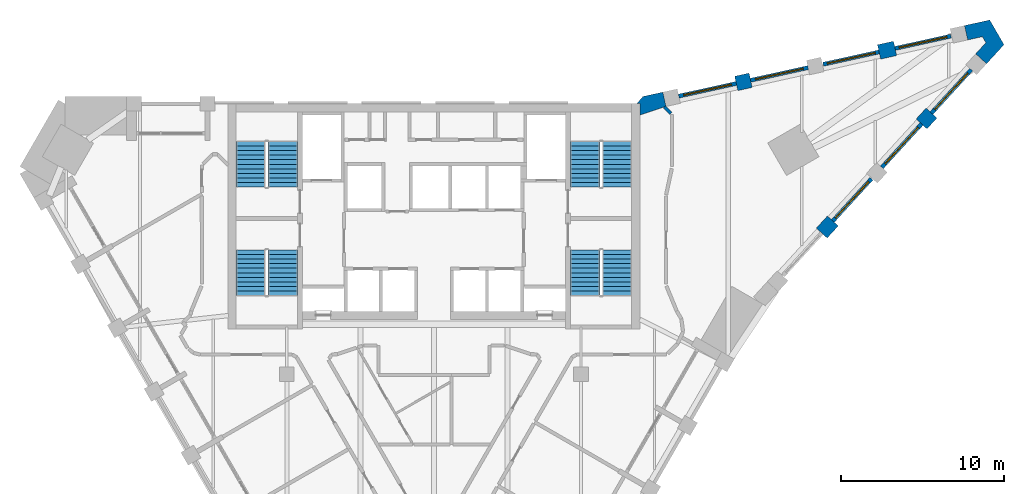
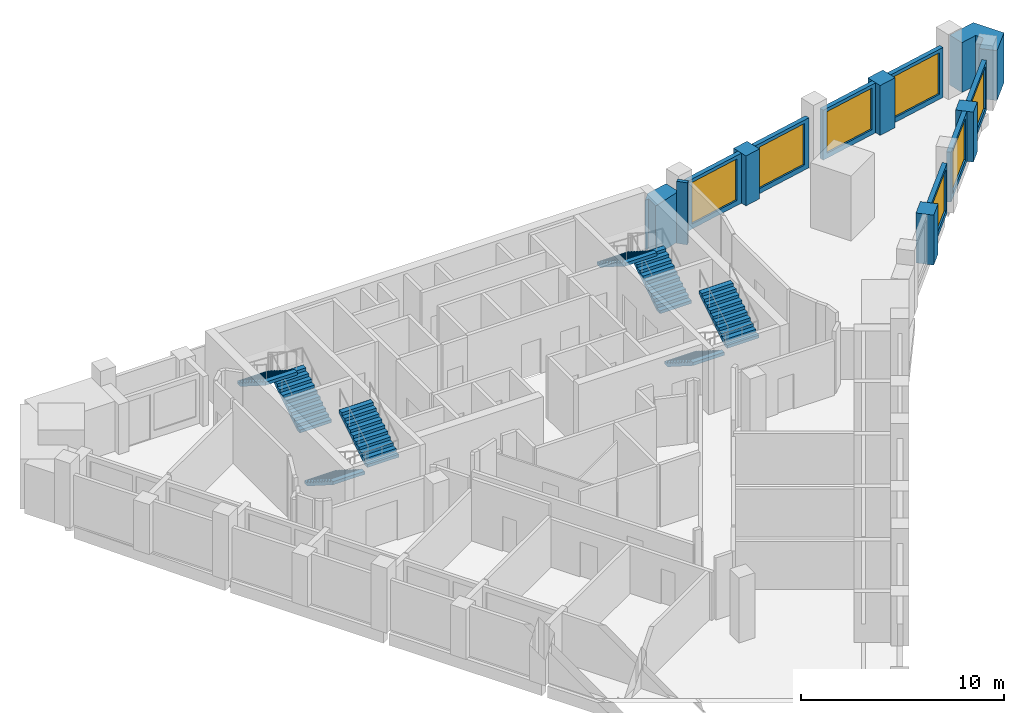
# One storey, part 7 of 8: 14 walls, 8 stair flights, 7 windows, 7 openings, 4 elements without a shape of their own.
"""IFC4 building model written with IfcOpenShell, lengths in metres."""

from ifc_helpers import new_model, si_unit, direction, frame, frame_2d, origin, place, context, subcontext, project, spatial, polyline, rectangle, outline, extrude, faceted_brep, source, transform, mapped, material, layer, layer_set, type_object, element, fill, aggregate, save


model = new_model("IFC4")

# Units and contexts
model_context = context("Model", 3, precision=1e-05, world=origin(), true_north=direction((0.0, 1.0)))
body_context = subcontext(model_context, "Body", "Model", "MODEL_VIEW")
ifc_project = project(units=[si_unit("LENGTHUNIT", "METRE"), si_unit("AREAUNIT", "SQUARE_METRE"), si_unit("VOLUMEUNIT", "CUBIC_METRE"), si_unit("PLANEANGLEUNIT", "RADIAN"), si_unit("MASSUNIT", "GRAM", prefix="KILO")], contexts=[model_context])

# Site, building, storey
site_placement = place(None, origin())
site = spatial("IfcSite", under=ifc_project, at=site_placement, CompositionType="ELEMENT")
building_placement = place(site_placement, origin())
building = spatial("IfcBuilding", under=site, at=building_placement, Name="Calabash Gate Tower", CompositionType="ELEMENT")
storey_placement = place(building_placement, frame((0.0, 0.0, 252.10009765625)))
storey = spatial("IfcBuildingStorey", under=building, at=storey_placement, Name="L60", CompositionType="ELEMENT", Elevation=252.10009765625)

# Walls
ifc_material_1 = material(Name="Terracotta brick masonry, exposed face", Category="masonry")
ifc_layer_1 = layer(ifc_material_1, 0.89990234375)
ifc_layer_set_1 = layer_set([ifc_layer_1], Name="Brick end wall 900")
wall_type_1 = type_object("IfcWallType", Name="Brick end wall 900", PredefinedType="SOLIDWALL", material=ifc_layer_set_1)
wall_1_placement = place(storey_placement, frame((23.728515625, 11.135009765625, 0.0), z_axis=(0.0, 0.0, 1.0), x_axis=(0.674788120713, 0.738011512203, 0.0)))
element("IfcWall", 1, at=wall_1_placement, inside=storey, type_object=wall_type_1, Name="Brick pier S17 wedge3.1", PredefinedType="SOLIDWALL", context=body_context, shape_type="SweptSolid", body=[
    extrude(rectangle(XDim=1.00390625, YDim=0.89990234375, at=frame_2d((0.501953125, 0.0))), origin(), (0.0, 0.0, 1.0), 3.0),
])
wall_2_placement = place(storey_placement, frame((30.44482421875, 18.47900390625, 0.0), z_axis=(0.0, 0.0, 1.0), x_axis=(-0.674938051731, -0.737874397391, 0.0)))
element("IfcWall", 2, at=wall_2_placement, inside=storey, type_object=wall_type_1, Name="Brick pier S17 wedge3.3", PredefinedType="SOLIDWALL", context=body_context, shape_type="SweptSolid", body=[
    extrude(rectangle(XDim=0.89990234375, YDim=0.89990234375, at=frame_2d((0.449951171875, 0.0))), origin(), (0.0, 0.0, 1.0), 3.0),
])
wall_3_placement = place(storey_placement, frame((28.21728515625, 22.436279296875, 0.0), z_axis=(0.0, 0.0, 1.0), x_axis=(-0.97656888558, -0.215205045752, 0.0)))
element("IfcWall", 3, at=wall_3_placement, inside=storey, type_object=wall_type_1, Name="Brick pier S17 wedge5.1", PredefinedType="SOLIDWALL", context=body_context, shape_type="SweptSolid", body=[
    extrude(rectangle(XDim=1.00390625, YDim=0.89990234375, at=frame_2d((0.501953125, 0.0))), origin(), (0.0, 0.0, 1.0), 3.0),
])
wall_4_placement = place(storey_placement, frame((18.4990234375, 20.2919921875, 0.0), z_axis=(0.0, 0.0, 1.0), x_axis=(0.976473402733, 0.215637876437, 0.0)))
element("IfcWall", 4, at=wall_4_placement, inside=storey, type_object=wall_type_1, Name="Brick pier S17 wedge5.3", PredefinedType="SOLIDWALL", context=body_context, shape_type="SweptSolid", body=[
    extrude(rectangle(XDim=0.900146484375, YDim=0.89990234375, at=frame_2d((0.4501953125, 0.0))), origin(), (0.0, 0.0, 1.0), 3.0),
])
wall_5_placement = place(storey_placement, origin())
element("IfcWall", 5, at=wall_5_placement, inside=storey, type_object=wall_type_1, Name="Brick end wall S17 2", PredefinedType="SOLIDWALL", context=body_context, shape_type="SweptSolid", body=[
    extrude(outline(polyline([(33.813720703125, 21.496337890625), (34.881591796875, 22.663818359375), (34.0087890625, 24.175048828125), (32.4638671875, 23.834228515625), (32.65771484375, 22.955322265625), (33.55908203125, 23.154296875), (33.7724609375, 22.78466796875), (33.149658203125, 22.103759765625), (33.813720703125, 21.496337890625)])), origin(), (0.0, 0.0, 1.0), 3.0),
])
wall_6_placement = place(storey_placement, origin())
element("IfcWall", 6, at=wall_6_placement, inside=storey, type_object=wall_type_1, Name="Brick end wall S17 3", PredefinedType="SOLIDWALL", context=body_context, shape_type="SweptSolid", body=[
    extrude(outline(polyline([(14.201416015625, 18.883056640625), (14.0078125, 19.761962890625), (12.784423828125, 19.491943359375), (12.410400390625, 19.052490234375), (12.60009765625, 19.052490234375), (12.60009765625, 18.351806640625), (14.201416015625, 18.883056640625)])), origin(), (0.0, 0.0, 1.0), 3.0),
])
ifc_material_2 = material(Name="Gypsum board on steel studs, mineral wool", Category="steel")
ifc_layer_2 = layer(ifc_material_2, 0.199951171875)
ifc_layer_set_2 = layer_set([ifc_layer_2], Name="Partition 200 gypsum board EI 60")
wall_type_2 = type_object("IfcWallType", Name="Partition 200 gypsum board EI 60", PredefinedType="PARTITIONING", material=ifc_layer_set_2)
wall_7_placement = place(storey_placement, frame((14.107177734375, 18.851806640625, 0.0), z_axis=(0.0, 0.0, 1.0), x_axis=(0.707106781187, -0.707106781187, 0.0)))
element("IfcWall", 7, at=wall_7_placement, inside=storey, type_object=wall_type_2, Name="Partition", PredefinedType="PARTITIONING", context=body_context, shape_type="SweptSolid", body=[
    extrude(rectangle(XDim=0.54931640625, YDim=0.199951171875, at=frame_2d((0.274658203125, 0.0))), origin(), (0.0, 0.0, 1.0), 3.72998046875),
])

# Wall, opening, window
ifc_material_3 = material(Name="Aluminium framed window wall with insulated spandrel", Category="aluminium")
ifc_layer_3 = layer(ifc_material_3, 0.25)
ifc_layer_set_3 = layer_set([ifc_layer_3], Name="Prow window wall 250")
wall_type_3 = type_object("IfcWallType", Name="Prow window wall 250", PredefinedType="ELEMENTEDWALL", material=ifc_layer_set_3)
wall_8_placement = place(storey_placement, frame((24.40478515625, 11.87451171875, 0.0), z_axis=(0.0, 0.0, 1.0), x_axis=(0.67487449122, 0.737932531537, 0.0)))
wall_8 = element("IfcWall", 8, at=wall_8_placement, inside=storey, type_object=wall_type_3, Name="Prow window wall S17 wedge3.2", PredefinedType="ELEMENTEDWALL", context=body_context, shape_type="SweptSolid", body=[
    extrude(rectangle(XDim=3.5, YDim=0.25, at=frame_2d((1.75, 0.0))), origin(), (0.0, 0.0, 1.0), 3.0),
])
opening_1_placement = place(wall_8_placement, frame((0.25, 0.0, 0.300048828125)))
opening_1 = element("IfcOpeningElement", 9, at=opening_1_placement, cuts=wall_8, Name="Opening WP2", PredefinedType="OPENING", context=body_context, shape_type="SweptSolid", body=[
    extrude(rectangle(XDim=3.0, YDim=2.5, at=frame_2d((1.5, 1.25))), frame((0.0, 0.135009765625, 0.0), z_axis=(0.0, -1.0, 0.0), x_axis=(1.0, 0.0, 0.0)), (0.0, 0.0, 1.0), 0.27001953125),
])
ifc_material_4 = material(Name="Anodised aluminium frame, bronze finish, impact-rated laminated clear glazing", Category="aluminium")
window_type = type_object("IfcWindowType", Name="Window WP2 3000x2500", PartitioningType="DOUBLE_PANEL_VERTICAL", PredefinedType="WINDOW", material=ifc_material_4)
window_1_placement = place(opening_1_placement, origin())
window_1 = element("IfcWindow", 10, at=window_1_placement, inside=storey, type_object=window_type, Name="Prow window WP2 S17 wedge3.2", OverallHeight=2.5, OverallWidth=3.0, PartitioningType="SINGLE_PANEL", PredefinedType="WINDOW", context=body_context, shape_type="SweptSolid", body=[
    extrude(rectangle(XDim=3.0, YDim=2.5, at=frame_2d((1.5, 1.25))), frame((0.0, 0.030029296875, 0.0), z_axis=(0.0, -1.0, 0.0), x_axis=(1.0, 0.0, 0.0)), (0.0, 0.0, 1.0), 0.06005859375),
])
fill(opening_1, window_1)

wall_9_placement = place(storey_placement, frame((27.407958984375, 15.158203125, 0.0), z_axis=(0.0, 0.0, 1.0), x_axis=(0.674833575111, 0.737969949187, 0.0)))
wall_9 = element("IfcWall", 11, at=wall_9_placement, inside=storey, type_object=wall_type_3, Name="Prow window wall S17 wedge3.3", PredefinedType="ELEMENTEDWALL", context=body_context, shape_type="SweptSolid", body=[
    extrude(rectangle(XDim=3.60009765625, YDim=0.25, at=frame_2d((1.800048828125, 0.0))), origin(), (0.0, 0.0, 1.0), 3.0),
])
opening_2_placement = place(wall_9_placement, frame((0.300048828125, 0.0, 0.300048828125)))
opening_2 = element("IfcOpeningElement", 12, at=opening_2_placement, cuts=wall_9, Name="Opening WP2", PredefinedType="OPENING", context=body_context, shape_type="SweptSolid", body=[
    extrude(rectangle(XDim=3.0, YDim=2.5, at=frame_2d((1.5, 1.25))), frame((0.0, 0.135009765625, 0.0), z_axis=(0.0, -1.0, 0.0), x_axis=(1.0, 0.0, 0.0)), (0.0, 0.0, 1.0), 0.27001953125),
])
window_2_placement = place(opening_2_placement, origin())
window_2 = element("IfcWindow", 13, at=window_2_placement, inside=storey, type_object=window_type, Name="Prow window WP2 S17 wedge3.3", OverallHeight=2.5, OverallWidth=3.0, PartitioningType="SINGLE_PANEL", PredefinedType="WINDOW", context=body_context, shape_type="SweptSolid", body=[
    extrude(rectangle(XDim=3.0, YDim=2.5, at=frame_2d((1.5, 1.25))), frame((0.0, 0.030029296875, 0.0), z_axis=(0.0, -1.0, 0.0), x_axis=(1.0, 0.0, 0.0)), (0.0, 0.0, 1.0), 0.06005859375),
])
fill(opening_2, window_2)

wall_10_placement = place(storey_placement, frame((30.44482421875, 18.47900390625, 0.0), z_axis=(0.0, 0.0, 1.0), x_axis=(0.674833575111, 0.737969949187, 0.0)))
wall_10 = element("IfcWall", 14, at=wall_10_placement, inside=storey, type_object=wall_type_3, Name="Prow window wall S17 wedge3.4", PredefinedType="ELEMENTEDWALL", context=body_context, shape_type="SweptSolid", body=[
    extrude(rectangle(XDim=3.60009765625, YDim=0.25, at=frame_2d((1.800048828125, 0.0))), origin(), (0.0, 0.0, 1.0), 3.0),
])
opening_3_placement = place(wall_10_placement, frame((0.300048828125, 0.0, 0.300048828125)))
opening_3 = element("IfcOpeningElement", 15, at=opening_3_placement, cuts=wall_10, Name="Opening WP2", PredefinedType="OPENING", context=body_context, shape_type="SweptSolid", body=[
    extrude(rectangle(XDim=3.0, YDim=2.5, at=frame_2d((1.5, 1.25))), frame((0.0, 0.135009765625, 0.0), z_axis=(0.0, -1.0, 0.0), x_axis=(1.0, 0.0, 0.0)), (0.0, 0.0, 1.0), 0.27001953125),
])
window_3_placement = place(opening_3_placement, origin())
window_3 = element("IfcWindow", 16, at=window_3_placement, inside=storey, type_object=window_type, Name="Prow window WP2 S17 wedge3.4", OverallHeight=2.5, OverallWidth=3.0, PartitioningType="SINGLE_PANEL", PredefinedType="WINDOW", context=body_context, shape_type="SweptSolid", body=[
    extrude(rectangle(XDim=3.0, YDim=2.5, at=frame_2d((1.5, 1.25))), frame((0.0, 0.030029296875, 0.0), z_axis=(0.0, -1.0, 0.0), x_axis=(1.0, 0.0, 0.0)), (0.0, 0.0, 1.0), 0.06005859375),
])
fill(opening_3, window_3)

wall_11_placement = place(storey_placement, frame((31.633056640625, 23.190185546875, 0.0), z_axis=(0.0, 0.0, 1.0), x_axis=(-0.976509313763, -0.215475196101, 0.0)))
wall_11 = element("IfcWall", 17, at=wall_11_placement, inside=storey, type_object=wall_type_3, Name="Prow window wall S17 wedge5.1", PredefinedType="ELEMENTEDWALL", context=body_context, shape_type="SweptSolid", body=[
    extrude(rectangle(XDim=3.5, YDim=0.25, at=frame_2d((1.75, 0.0))), origin(), (0.0, 0.0, 1.0), 3.0),
])
opening_4_placement = place(wall_11_placement, frame((0.25, 0.0, 0.300048828125)))
opening_4 = element("IfcOpeningElement", 18, at=opening_4_placement, cuts=wall_11, Name="Opening WP2", PredefinedType="OPENING", context=body_context, shape_type="SweptSolid", body=[
    extrude(rectangle(XDim=3.0, YDim=2.5, at=frame_2d((1.5, 1.25))), frame((0.0, 0.135009765625, 0.0), z_axis=(0.0, -1.0, 0.0), x_axis=(1.0, 0.0, 0.0)), (0.0, 0.0, 1.0), 0.27001953125),
])
window_4_placement = place(opening_4_placement, origin())
window_4 = element("IfcWindow", 19, at=window_4_placement, inside=storey, type_object=window_type, Name="Prow window WP2 S17 wedge5.1", OverallHeight=2.5, OverallWidth=3.0, PartitioningType="SINGLE_PANEL", PredefinedType="WINDOW", context=body_context, shape_type="SweptSolid", body=[
    extrude(rectangle(XDim=3.0, YDim=2.5, at=frame_2d((1.5, 1.25))), frame((0.0, 0.030029296875, 0.0), z_axis=(0.0, -1.0, 0.0), x_axis=(1.0, 0.0, 0.0)), (0.0, 0.0, 1.0), 0.06005859375),
])
fill(opening_4, window_4)

wall_12_placement = place(storey_placement, frame((27.23876953125, 22.220458984375, 0.0), z_axis=(0.0, 0.0, 1.0), x_axis=(-0.976509313763, -0.215475196101, 0.0)))
wall_12 = element("IfcWall", 20, at=wall_12_placement, inside=storey, type_object=wall_type_3, Name="Prow window wall S17 wedge5.2", PredefinedType="ELEMENTEDWALL", context=body_context, shape_type="SweptSolid", body=[
    extrude(rectangle(XDim=3.5, YDim=0.25, at=frame_2d((1.75, 0.0))), origin(), (0.0, 0.0, 1.0), 3.0),
])
opening_5_placement = place(wall_12_placement, frame((0.25, 0.0, 0.300048828125)))
opening_5 = element("IfcOpeningElement", 21, at=opening_5_placement, cuts=wall_12, Name="Opening WP2", PredefinedType="OPENING", context=body_context, shape_type="SweptSolid", body=[
    extrude(rectangle(XDim=3.0, YDim=2.5, at=frame_2d((1.5, 1.25))), frame((0.0, 0.135009765625, 0.0), z_axis=(0.0, -1.0, 0.0), x_axis=(1.0, 0.0, 0.0)), (0.0, 0.0, 1.0), 0.27001953125),
])
window_5_placement = place(opening_5_placement, origin())
window_5 = element("IfcWindow", 22, at=window_5_placement, inside=storey, type_object=window_type, Name="Prow window WP2 S17 wedge5.2", OverallHeight=2.5, OverallWidth=3.0, PartitioningType="SINGLE_PANEL", PredefinedType="WINDOW", context=body_context, shape_type="SweptSolid", body=[
    extrude(rectangle(XDim=3.0, YDim=2.5, at=frame_2d((1.5, 1.25))), frame((0.0, 0.030029296875, 0.0), z_axis=(0.0, -1.0, 0.0), x_axis=(1.0, 0.0, 0.0)), (0.0, 0.0, 1.0), 0.06005859375),
])
fill(opening_5, window_5)

wall_13_placement = place(storey_placement, frame((22.893310546875, 21.26171875, 0.0), z_axis=(0.0, 0.0, 1.0), x_axis=(-0.976513072969, -0.215458159096, 0.0)))
wall_13 = element("IfcWall", 23, at=wall_13_placement, inside=storey, type_object=wall_type_3, Name="Prow window wall S17 wedge5.3", PredefinedType="ELEMENTEDWALL", context=body_context, shape_type="SweptSolid", body=[
    extrude(rectangle(XDim=3.599853515625, YDim=0.25, at=frame_2d((1.7998046875, 0.0))), origin(), (0.0, 0.0, 1.0), 3.0),
])
opening_6_placement = place(wall_13_placement, frame((0.300048828125, 0.0, 0.300048828125)))
opening_6 = element("IfcOpeningElement", 24, at=opening_6_placement, cuts=wall_13, Name="Opening WP2", PredefinedType="OPENING", context=body_context, shape_type="SweptSolid", body=[
    extrude(rectangle(XDim=3.0, YDim=2.5, at=frame_2d((1.5, 1.25))), frame((0.0, 0.135009765625, 0.0), z_axis=(0.0, -1.0, 0.0), x_axis=(1.0, 0.0, 0.0)), (0.0, 0.0, 1.0), 0.27001953125),
])
window_6_placement = place(opening_6_placement, origin())
window_6 = element("IfcWindow", 25, at=window_6_placement, inside=storey, type_object=window_type, Name="Prow window WP2 S17 wedge5.3", OverallHeight=2.5, OverallWidth=3.0, PartitioningType="SINGLE_PANEL", PredefinedType="WINDOW", context=body_context, shape_type="SweptSolid", body=[
    extrude(rectangle(XDim=3.0, YDim=2.5, at=frame_2d((1.5, 1.25))), frame((0.0, 0.030029296875, 0.0), z_axis=(0.0, -1.0, 0.0), x_axis=(1.0, 0.0, 0.0)), (0.0, 0.0, 1.0), 0.06005859375),
])
fill(opening_6, window_6)

wall_14_placement = place(storey_placement, frame((18.4990234375, 20.2919921875, 0.0), z_axis=(0.0, 0.0, 1.0), x_axis=(-0.976513072969, -0.215458159096, 0.0)))
wall_14 = element("IfcWall", 26, at=wall_14_placement, inside=storey, type_object=wall_type_3, Name="Prow window wall S17 wedge5.4", PredefinedType="ELEMENTEDWALL", context=body_context, shape_type="SweptSolid", body=[
    extrude(rectangle(XDim=3.599853515625, YDim=0.25, at=frame_2d((1.7998046875, 0.0))), origin(), (0.0, 0.0, 1.0), 3.0),
])
opening_7_placement = place(wall_14_placement, frame((0.300048828125, 0.0, 0.300048828125)))
opening_7 = element("IfcOpeningElement", 27, at=opening_7_placement, cuts=wall_14, Name="Opening WP2", PredefinedType="OPENING", context=body_context, shape_type="SweptSolid", body=[
    extrude(rectangle(XDim=3.0, YDim=2.5, at=frame_2d((1.5, 1.25))), frame((0.0, 0.135009765625, 0.0), z_axis=(0.0, -1.0, 0.0), x_axis=(1.0, 0.0, 0.0)), (0.0, 0.0, 1.0), 0.27001953125),
])
window_7_placement = place(opening_7_placement, origin())
window_7 = element("IfcWindow", 28, at=window_7_placement, inside=storey, type_object=window_type, Name="Prow window WP2 S17 wedge5.4", OverallHeight=2.5, OverallWidth=3.0, PartitioningType="SINGLE_PANEL", PredefinedType="WINDOW", context=body_context, shape_type="SweptSolid", body=[
    extrude(rectangle(XDim=3.0, YDim=2.5, at=frame_2d((1.5, 1.25))), frame((0.0, 0.030029296875, 0.0), z_axis=(0.0, -1.0, 0.0), x_axis=(1.0, 0.0, 0.0)), (0.0, 0.0, 1.0), 0.06005859375),
])
fill(opening_7, window_7)

# Stair, stair flights
ifc_material_5 = material(Name="Concrete C40/50", Category="concrete")
stair_type = type_object("IfcStairType", Name="Exit stair 22 risers of 177.3 mm", PredefinedType="HALF_TURN_STAIR", material=ifc_material_5)
stair_1_placement = place(storey_placement, origin())
stair_1 = element("IfcStair", 29, at=stair_1_placement, inside=storey, type_object=stair_type, Name="L60 Exit stair ST1", PredefinedType="HALF_TURN_STAIR")
ifc_material_6 = material(Name="Concrete C40/50", Category="concrete")
stair_flight_type = type_object("IfcStairFlightType", Name="Exit stair flight SFL", PredefinedType="STRAIGHT", material=ifc_material_6)
shared_shape = source(origin(), body_context, "Body", "Brep", [
    faceted_brep([(-0.0009765625, -0.89990234375, 0.0), (0.279541015625, -0.89990234375, 0.0), (2.791015625, -0.89990234375, 1.59521484375), (-0.0009765625, 0.89990234375, 0.0), (2.791015625, 0.89990234375, 1.59521484375), (0.279541015625, 0.89990234375, 0.0), (2.791015625, -0.89990234375, 1.78466796875), (2.7900390625, -0.89990234375, 1.78466796875), (2.7900390625, 0.89990234375, 1.78466796875), (2.791015625, 0.89990234375, 1.78466796875), (2.7900390625, -0.89990234375, 1.772705078125), (2.7900390625, 0.89990234375, 1.772705078125), (2.510986328125, -0.89990234375, 1.772705078125), (2.510986328125, 0.89990234375, 1.772705078125), (2.510986328125, -0.89990234375, 1.595458984375), (2.510986328125, 0.89990234375, 1.595458984375), (2.23193359375, -0.89990234375, 1.595458984375), (2.23193359375, 0.89990234375, 1.595458984375), (2.23193359375, -0.89990234375, 1.418212890625), (2.23193359375, 0.89990234375, 1.418212890625), (1.952880859375, -0.89990234375, 1.418212890625), (1.952880859375, -0.89990234375, 1.240966796875), (1.952880859375, 0.89990234375, 1.240966796875), (1.952880859375, 0.89990234375, 1.418212890625), (1.674072265625, -0.89990234375, 1.240966796875), (1.674072265625, -0.89990234375, 1.063720703125), (1.674072265625, 0.89990234375, 1.063720703125), (1.674072265625, 0.89990234375, 1.240966796875), (1.39501953125, -0.89990234375, 1.063720703125), (1.39501953125, -0.89990234375, 0.886474609375), (1.39501953125, 0.89990234375, 0.886474609375), (1.39501953125, 0.89990234375, 1.063720703125), (1.115966796875, -0.89990234375, 0.886474609375), (1.115966796875, -0.89990234375, 0.708984375), (1.115966796875, 0.89990234375, 0.708984375), (1.115966796875, 0.89990234375, 0.886474609375), (0.8369140625, -0.89990234375, 0.708984375), (0.8369140625, -0.89990234375, 0.53173828125), (0.8369140625, 0.89990234375, 0.53173828125), (0.8369140625, 0.89990234375, 0.708984375), (0.55810546875, -0.89990234375, 0.53173828125), (0.55810546875, -0.89990234375, 0.3544921875), (0.55810546875, 0.89990234375, 0.3544921875), (0.55810546875, 0.89990234375, 0.53173828125), (0.279052734375, -0.89990234375, 0.3544921875), (0.279052734375, -0.89990234375, 0.17724609375), (0.279052734375, 0.89990234375, 0.17724609375), (0.279052734375, 0.89990234375, 0.3544921875), (-0.0009765625, -0.89990234375, 0.17724609375), (-0.0009765625, 0.89990234375, 0.17724609375), (0.279541015625, -0.360107421875, 0.0), (2.791015625, -0.360107421875, 1.59521484375), (0.279541015625, 0.0, 0.0), (2.791015625, 0.0, 1.59521484375), (0.279541015625, 0.360107421875, 0.0), (2.791015625, 0.360107421875, 1.59521484375), (2.791015625, -0.360107421875, 1.78466796875), (2.791015625, 0.0, 1.78466796875), (2.791015625, 0.360107421875, 1.78466796875), (2.7900390625, -0.360107421875, 1.78466796875), (2.7900390625, 0.0, 1.78466796875), (2.7900390625, 0.360107421875, 1.78466796875), (2.7900390625, -0.360107421875, 1.772705078125), (2.7900390625, 0.0, 1.772705078125), (2.7900390625, 0.360107421875, 1.772705078125), (2.510986328125, -0.360107421875, 1.772705078125), (2.510986328125, 0.0, 1.772705078125), (2.510986328125, 0.360107421875, 1.772705078125), (2.510986328125, -0.360107421875, 1.595458984375), (2.510986328125, 0.0, 1.595458984375), (2.510986328125, 0.360107421875, 1.595458984375), (2.23193359375, -0.360107421875, 1.595458984375), (2.23193359375, 0.0, 1.595458984375), (2.23193359375, 0.360107421875, 1.595458984375), (2.23193359375, -0.360107421875, 1.418212890625), (2.23193359375, 0.0, 1.418212890625), (2.23193359375, 0.360107421875, 1.418212890625), (1.952880859375, -0.360107421875, 1.418212890625), (1.952880859375, 0.0, 1.418212890625), (1.952880859375, 0.360107421875, 1.418212890625), (1.952880859375, -0.360107421875, 1.240966796875), (1.952880859375, 0.0, 1.240966796875), (1.952880859375, 0.360107421875, 1.240966796875), (1.674072265625, -0.360107421875, 1.240966796875), (1.674072265625, 0.0, 1.240966796875), (1.674072265625, 0.360107421875, 1.240966796875), (1.674072265625, -0.360107421875, 1.063720703125), (1.674072265625, 0.0, 1.063720703125), (1.674072265625, 0.360107421875, 1.063720703125), (1.39501953125, -0.360107421875, 1.063720703125), (1.39501953125, 0.0, 1.063720703125), (1.39501953125, 0.360107421875, 1.063720703125), (1.39501953125, -0.360107421875, 0.886474609375), (1.39501953125, 0.0, 0.886474609375), (1.39501953125, 0.360107421875, 0.886474609375), (1.115966796875, -0.360107421875, 0.886474609375), (1.115966796875, 0.0, 0.886474609375), (1.115966796875, 0.360107421875, 0.886474609375), (1.115966796875, -0.360107421875, 0.708984375), (1.115966796875, 0.0, 0.708984375), (1.115966796875, 0.360107421875, 0.708984375), (0.8369140625, -0.360107421875, 0.708984375), (0.8369140625, 0.0, 0.708984375), (0.8369140625, 0.360107421875, 0.708984375), (0.8369140625, -0.360107421875, 0.53173828125), (0.8369140625, 0.0, 0.53173828125), (0.8369140625, 0.360107421875, 0.53173828125), (0.55810546875, -0.360107421875, 0.53173828125), (0.55810546875, 0.0, 0.53173828125), (0.55810546875, 0.360107421875, 0.53173828125), (0.55810546875, -0.360107421875, 0.3544921875), (0.55810546875, 0.0, 0.3544921875), (0.55810546875, 0.360107421875, 0.3544921875), (0.279052734375, -0.360107421875, 0.3544921875), (0.279052734375, 0.0, 0.3544921875), (0.279052734375, 0.360107421875, 0.3544921875), (0.279052734375, -0.360107421875, 0.17724609375), (0.279052734375, 0.0, 0.17724609375), (0.279052734375, 0.360107421875, 0.17724609375), (-0.0009765625, -0.360107421875, 0.17724609375), (-0.0009765625, 0.0, 0.17724609375), (-0.0009765625, 0.360107421875, 0.17724609375), (-0.0009765625, -0.360107421875, 0.0), (-0.0009765625, 0.0, 0.0), (-0.0009765625, 0.360107421875, 0.0)], [[[0, 1, 2]], [[3, 4, 5]], [[2, 6, 7]], [[4, 8, 9]], [[2, 7, 10]], [[4, 11, 8]], [[2, 10, 12]], [[4, 13, 11]], [[2, 12, 14]], [[4, 15, 13]], [[2, 14, 16]], [[4, 17, 15]], [[2, 16, 18]], [[4, 19, 17]], [[18, 20, 21]], [[19, 22, 23]], [[2, 18, 21]], [[4, 22, 19]], [[21, 24, 25]], [[22, 26, 27]], [[2, 21, 25]], [[4, 26, 22]], [[25, 28, 29]], [[26, 30, 31]], [[2, 25, 29]], [[4, 30, 26]], [[29, 32, 33]], [[30, 34, 35]], [[2, 29, 33]], [[4, 34, 30]], [[33, 36, 37]], [[34, 38, 39]], [[2, 33, 37]], [[4, 38, 34]], [[37, 40, 41]], [[38, 42, 43]], [[2, 37, 41]], [[4, 42, 38]], [[41, 44, 45]], [[42, 46, 47]], [[2, 41, 45]], [[4, 46, 42]], [[0, 2, 45]], [[3, 46, 4]], [[45, 48, 0]], [[46, 3, 49]], [[1, 50, 2]], [[50, 51, 2]], [[50, 52, 51]], [[52, 53, 51]], [[52, 54, 55]], [[52, 55, 53]], [[54, 5, 4]], [[54, 4, 55]], [[2, 51, 6]], [[51, 56, 6]], [[51, 53, 56]], [[53, 57, 56]], [[53, 55, 58]], [[53, 58, 57]], [[55, 4, 9]], [[55, 9, 58]], [[6, 56, 7]], [[56, 59, 7]], [[56, 57, 59]], [[57, 60, 59]], [[57, 58, 61]], [[57, 61, 60]], [[58, 9, 8]], [[58, 8, 61]], [[7, 59, 10]], [[59, 62, 10]], [[59, 60, 62]], [[60, 63, 62]], [[60, 61, 64]], [[60, 64, 63]], [[61, 8, 11]], [[61, 11, 64]], [[10, 62, 12]], [[62, 65, 12]], [[62, 63, 65]], [[63, 66, 65]], [[63, 64, 67]], [[63, 67, 66]], [[64, 11, 13]], [[64, 13, 67]], [[12, 65, 14]], [[65, 68, 14]], [[65, 66, 68]], [[66, 69, 68]], [[66, 67, 70]], [[66, 70, 69]], [[67, 13, 15]], [[67, 15, 70]], [[14, 68, 16]], [[68, 71, 16]], [[68, 69, 71]], [[69, 72, 71]], [[69, 70, 73]], [[69, 73, 72]], [[70, 15, 17]], [[70, 17, 73]], [[16, 71, 18]], [[71, 74, 18]], [[71, 72, 74]], [[72, 75, 74]], [[72, 73, 76]], [[72, 76, 75]], [[73, 17, 19]], [[73, 19, 76]], [[18, 74, 20]], [[74, 77, 20]], [[74, 75, 77]], [[75, 78, 77]], [[75, 76, 79]], [[75, 79, 78]], [[76, 19, 23]], [[76, 23, 79]], [[20, 77, 21]], [[77, 80, 21]], [[77, 78, 80]], [[78, 81, 80]], [[78, 79, 82]], [[78, 82, 81]], [[79, 23, 22]], [[79, 22, 82]], [[21, 80, 24]], [[80, 83, 24]], [[80, 81, 83]], [[81, 84, 83]], [[81, 82, 85]], [[81, 85, 84]], [[82, 22, 27]], [[82, 27, 85]], [[24, 83, 25]], [[83, 86, 25]], [[83, 84, 86]], [[84, 87, 86]], [[84, 85, 88]], [[84, 88, 87]], [[85, 27, 26]], [[85, 26, 88]], [[25, 86, 28]], [[86, 89, 28]], [[86, 87, 89]], [[87, 90, 89]], [[87, 88, 91]], [[87, 91, 90]], [[88, 26, 31]], [[88, 31, 91]], [[28, 89, 29]], [[89, 92, 29]], [[89, 90, 92]], [[90, 93, 92]], [[90, 91, 94]], [[90, 94, 93]], [[91, 31, 30]], [[91, 30, 94]], [[29, 92, 32]], [[92, 95, 32]], [[92, 93, 95]], [[93, 96, 95]], [[93, 94, 97]], [[93, 97, 96]], [[94, 30, 35]], [[94, 35, 97]], [[32, 95, 33]], [[95, 98, 33]], [[95, 96, 98]], [[96, 99, 98]], [[96, 97, 100]], [[96, 100, 99]], [[97, 35, 34]], [[97, 34, 100]], [[33, 98, 36]], [[98, 101, 36]], [[98, 99, 101]], [[99, 102, 101]], [[99, 100, 103]], [[99, 103, 102]], [[100, 34, 39]], [[100, 39, 103]], [[36, 101, 37]], [[101, 104, 37]], [[101, 102, 104]], [[102, 105, 104]], [[102, 103, 106]], [[102, 106, 105]], [[103, 39, 38]], [[103, 38, 106]], [[37, 104, 40]], [[104, 107, 40]], [[104, 105, 107]], [[105, 108, 107]], [[105, 106, 109]], [[105, 109, 108]], [[106, 38, 43]], [[106, 43, 109]], [[40, 107, 41]], [[107, 110, 41]], [[107, 108, 110]], [[108, 111, 110]], [[108, 109, 112]], [[108, 112, 111]], [[109, 43, 42]], [[109, 42, 112]], [[41, 110, 44]], [[110, 113, 44]], [[110, 111, 113]], [[111, 114, 113]], [[111, 112, 115]], [[111, 115, 114]], [[112, 42, 47]], [[112, 47, 115]], [[44, 113, 45]], [[113, 116, 45]], [[113, 114, 116]], [[114, 117, 116]], [[114, 115, 118]], [[114, 118, 117]], [[115, 47, 46]], [[115, 46, 118]], [[45, 116, 48]], [[116, 119, 48]], [[116, 117, 119]], [[117, 120, 119]], [[117, 118, 121]], [[117, 121, 120]], [[118, 46, 49]], [[118, 49, 121]], [[48, 119, 0]], [[119, 122, 0]], [[119, 120, 122]], [[120, 123, 122]], [[120, 121, 124]], [[120, 124, 123]], [[121, 49, 3]], [[121, 3, 124]], [[0, 122, 1]], [[122, 50, 1]], [[122, 123, 50]], [[123, 52, 50]], [[123, 124, 54]], [[123, 54, 52]], [[124, 3, 5]], [[124, 5, 54]]]),
])
stair_flight_1_placement = place(storey_placement, frame((-9.25, 13.95263671875, 0.0), z_axis=(0.0, 0.0, 1.0), x_axis=(0.0, 1.0, 0.0)))
stair_flight_1 = element("IfcStairFlight", 30, at=stair_flight_1_placement, type_object=stair_flight_type, Name="ST1 flight 1", NumberOfRisers=11, NumberOfTreads=10, PredefinedType="STRAIGHT", RiserHeight=0.177272727, TreadLength=0.279, context=body_context, shape_type="MappedRepresentation", body=[
    mapped(shared_shape, transform((0.0, 0.0, 0.0), scale=1.0)),
])
stair_flight_2_placement = place(storey_placement, frame((-11.199951171875, 16.74267578125, 1.949951171875), z_axis=(0.0, 0.0, 1.0), x_axis=(0.0, -1.0, 0.0)))
stair_flight_2 = element("IfcStairFlight", 31, at=stair_flight_2_placement, type_object=stair_flight_type, Name="ST1 flight 2", NumberOfRisers=11, NumberOfTreads=10, PredefinedType="STRAIGHT", RiserHeight=0.177272727, TreadLength=0.279, context=body_context, shape_type="MappedRepresentation", body=[
    mapped(shared_shape, transform((0.0, 0.0, 0.0), scale=1.0)),
])
aggregate(stair_1, [stair_flight_1, stair_flight_2])

stair_2_placement = place(storey_placement, origin())
stair_2 = element("IfcStair", 32, at=stair_2_placement, inside=storey, type_object=stair_type, Name="L60 Exit stair ST2", PredefinedType="HALF_TURN_STAIR")
stair_flight_3_placement = place(storey_placement, frame((-11.199951171875, 10.1025390625, 0.0), z_axis=(0.0, 0.0, 1.0), x_axis=(0.0, -1.0, 0.0)))
stair_flight_3 = element("IfcStairFlight", 33, at=stair_flight_3_placement, type_object=stair_flight_type, Name="ST2 flight 1", NumberOfRisers=11, NumberOfTreads=10, PredefinedType="STRAIGHT", RiserHeight=0.177272727, TreadLength=0.279, context=body_context, shape_type="MappedRepresentation", body=[
    mapped(shared_shape, transform((0.0, 0.0, 0.0), scale=1.0)),
])
stair_flight_4_placement = place(storey_placement, frame((-9.25, 7.3125, 1.949951171875), z_axis=(0.0, 0.0, 1.0), x_axis=(0.0, 1.0, 0.0)))
stair_flight_4 = element("IfcStairFlight", 34, at=stair_flight_4_placement, type_object=stair_flight_type, Name="ST2 flight 2", NumberOfRisers=11, NumberOfTreads=10, PredefinedType="STRAIGHT", RiserHeight=0.177272727, TreadLength=0.279, context=body_context, shape_type="MappedRepresentation", body=[
    mapped(shared_shape, transform((0.0, 0.0, 0.0), scale=1.0)),
])
aggregate(stair_2, [stair_flight_3, stair_flight_4])

stair_3_placement = place(storey_placement, origin())
stair_3 = element("IfcStair", 35, at=stair_3_placement, inside=storey, type_object=stair_type, Name="L60 Exit stair ST3", PredefinedType="HALF_TURN_STAIR")
stair_flight_5_placement = place(storey_placement, frame((11.199951171875, 13.95263671875, 0.0), z_axis=(0.0, 0.0, 1.0), x_axis=(0.0, 1.0, 0.0)))
stair_flight_5 = element("IfcStairFlight", 36, at=stair_flight_5_placement, type_object=stair_flight_type, Name="ST3 flight 1", NumberOfRisers=11, NumberOfTreads=10, PredefinedType="STRAIGHT", RiserHeight=0.177272727, TreadLength=0.279, context=body_context, shape_type="MappedRepresentation", body=[
    mapped(shared_shape, transform((0.0, 0.0, 0.0), scale=1.0)),
])
stair_flight_6_placement = place(storey_placement, frame((9.25, 16.74267578125, 1.949951171875), z_axis=(0.0, 0.0, 1.0), x_axis=(0.0, -1.0, 0.0)))
stair_flight_6 = element("IfcStairFlight", 37, at=stair_flight_6_placement, type_object=stair_flight_type, Name="ST3 flight 2", NumberOfRisers=11, NumberOfTreads=10, PredefinedType="STRAIGHT", RiserHeight=0.177272727, TreadLength=0.279, context=body_context, shape_type="MappedRepresentation", body=[
    mapped(shared_shape, transform((0.0, 0.0, 0.0), scale=1.0)),
])
aggregate(stair_3, [stair_flight_5, stair_flight_6])

stair_4_placement = place(storey_placement, origin())
stair_4 = element("IfcStair", 38, at=stair_4_placement, inside=storey, type_object=stair_type, Name="L60 Exit stair ST4", PredefinedType="HALF_TURN_STAIR")
stair_flight_7_placement = place(storey_placement, frame((9.25, 10.1025390625, 0.0), z_axis=(0.0, 0.0, 1.0), x_axis=(0.0, -1.0, 0.0)))
stair_flight_7 = element("IfcStairFlight", 39, at=stair_flight_7_placement, type_object=stair_flight_type, Name="ST4 flight 1", NumberOfRisers=11, NumberOfTreads=10, PredefinedType="STRAIGHT", RiserHeight=0.177272727, TreadLength=0.279, context=body_context, shape_type="MappedRepresentation", body=[
    mapped(shared_shape, transform((0.0, 0.0, 0.0), scale=1.0)),
])
stair_flight_8_placement = place(storey_placement, frame((11.199951171875, 7.3125, 1.949951171875), z_axis=(0.0, 0.0, 1.0), x_axis=(0.0, 1.0, 0.0)))
stair_flight_8 = element("IfcStairFlight", 40, at=stair_flight_8_placement, type_object=stair_flight_type, Name="ST4 flight 2", NumberOfRisers=11, NumberOfTreads=10, PredefinedType="STRAIGHT", RiserHeight=0.177272727, TreadLength=0.279, context=body_context, shape_type="MappedRepresentation", body=[
    mapped(shared_shape, transform((0.0, 0.0, 0.0), scale=1.0)),
])
aggregate(stair_4, [stair_flight_7, stair_flight_8])

save(model, "model.ifc")
